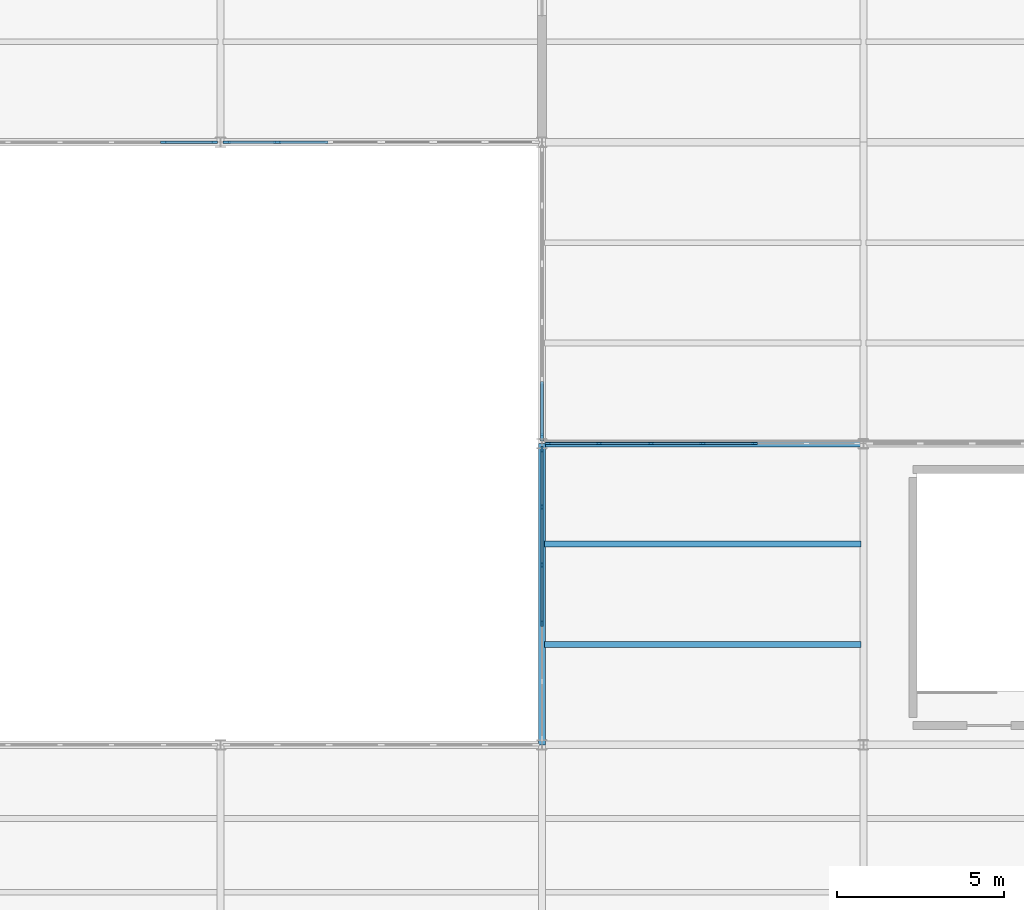
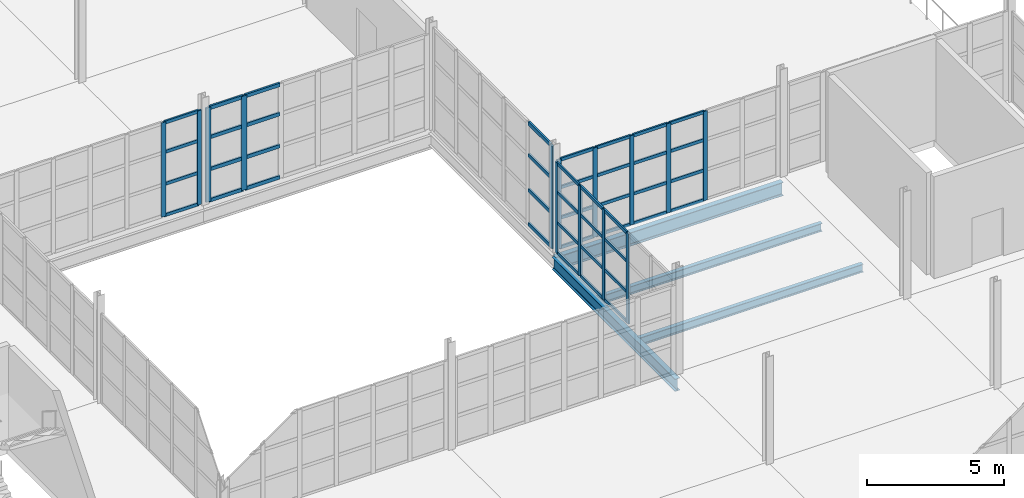
# One storey, part 63 of 120: 58 members, 4 beams, 5 elements without a shape of their own.
"""IFC4 building model written with IfcOpenShell, lengths in metres."""

from ifc_helpers import new_model, si_unit, direction, frame, origin, origin_2d, place, context, subcontext, project, spatial, rectangle, i_section, extrude, material, layer, layer_set, material_profile, profile_set, type_object, element, aggregate, save


model = new_model("IFC4")

# Units and contexts
model_context = context("Model", 3, precision=1e-05, world=origin(), true_north=direction((0.0, 1.0)))
body_context = subcontext(model_context, "Body", "Model", "MODEL_VIEW")
ifc_project = project(units=[si_unit("LENGTHUNIT", "METRE"), si_unit("AREAUNIT", "SQUARE_METRE"), si_unit("VOLUMEUNIT", "CUBIC_METRE"), si_unit("PLANEANGLEUNIT", "RADIAN"), si_unit("MASSUNIT", "GRAM", prefix="KILO")], contexts=[model_context])

# Site, building, storey
site_placement = place(None, origin())
site = spatial("IfcSite", under=ifc_project, at=site_placement, CompositionType="ELEMENT")
building_placement = place(site_placement, origin())
building = spatial("IfcBuilding", under=site, at=building_placement, Name="Zarnetskaya Central Station", CompositionType="ELEMENT")
storey_placement = place(building_placement, frame((0.0, 0.0, 5.39990234375)))
storey = spatial("IfcBuildingStorey", under=building, at=storey_placement, Name="L01", CompositionType="ELEMENT", Elevation=5.39990234375)

# Beams
ifc_material_1 = material(Name="Steel S355", Category="steel")
ifc_material_profile_1 = material_profile(ifc_material_1, i_section(OverallWidth=0.169921875, OverallDepth=0.360107421875, WebThickness=0.008056640625, FlangeThickness=0.0126953125, FilletRadius=0.01806640625, at=origin_2d()), Name="IPE 360")
ifc_profile_set_1 = profile_set([ifc_material_profile_1], Name="Steel S355")
beam_type_1 = type_object("IfcBeamType", Name="BM-SEC-360", PredefinedType="BEAM", material=ifc_profile_set_1)
for number, where, z_axis, x_axis, name in (
    (1, (153.679931640625, 16.199951171875, -0.4599609375), (1.0, 0.0, 0.0), (0.0, 1.0, 0.0), "Secondary floor beam SEC-L01-Z512-ST-34-1"),
    (2, (153.679931640625, 19.199951171875, -0.4599609375), (1.0, 0.0, 0.0), (0.0, 1.0, 0.0), "Secondary floor beam SEC-L01-Z512-ST-34-2"),
):
    element("IfcBeam", number, at=place(storey_placement, frame(where, z_axis=z_axis, x_axis=x_axis)), inside=storey, type_object=beam_type_1, Name=name, PredefinedType="BEAM", context=body_context, shape_type="SweptSolid", body=[
        extrude(i_section(OverallWidth=0.169921875, OverallDepth=0.360107421875, WebThickness=0.008056640625, FlangeThickness=0.0126953125, FilletRadius=0.01806640625, at=origin_2d()), origin(), (0.0, 0.0, 1.0), 9.440185546875),
    ])

# Curtain wall, members
ifc_material_2 = material(Name="Low-E insulated glass", Category="glass")
ifc_layer = layer(ifc_material_2, 0.159912109375, Name="Low-E insulated glass", Category="glass")
ifc_layer_set = layer_set([ifc_layer], Name="Low-E insulated glass")
curtain_wall_type = type_object("IfcCurtainWallType", Name="CW-SYS-06", PredefinedType="USERDEFINED", material=ifc_layer_set)
curtain_wall_1_placement = place(storey_placement, origin())
curtain_wall_1 = element("IfcCurtainWall", 3, at=curtain_wall_1_placement, inside=storey, type_object=curtain_wall_type, Name="Curtain wall CW-L01-117", ObjectType="CURTAIN WALL", PredefinedType="USERDEFINED")
ifc_material_3 = material(Name="Anodised aluminium", Category="aluminium")
ifc_material_profile_2 = material_profile(ifc_material_3, rectangle(XDim=0.070068359375, YDim=0.179931640625, at=origin_2d()), Name="ALU MULL 70x180")
ifc_profile_set_2 = profile_set([ifc_material_profile_2], Name="Anodised aluminium")
member_type_1 = type_object("IfcMemberType", Name="CW-MULL-180", PredefinedType="MULLION", material=ifc_profile_set_2)
member_1_placement = place(storey_placement, frame((153.784912109375, 22.199951171875, 0.0), z_axis=(0.0, 0.0, 1.0), x_axis=(0.0, 1.0, 0.0)))
member_1 = element("IfcMember", 4, at=member_1_placement, type_object=member_type_1, Name="CW-02 mullion 1", PredefinedType="MULLION", context=body_context, shape_type="SweptSolid", body=[
    extrude(rectangle(XDim=0.070068359375, YDim=0.179931640625, at=origin_2d()), origin(), (0.0, 0.0, 1.0), 3.97998046875),
])
member_2_placement = place(storey_placement, frame((155.300048828125, 22.199951171875, 0.0), z_axis=(0.0, 0.0, 1.0), x_axis=(0.0, 1.0, 0.0)))
member_2 = element("IfcMember", 5, at=member_2_placement, type_object=member_type_1, Name="CW-02 mullion 2", PredefinedType="MULLION", context=body_context, shape_type="SweptSolid", body=[
    extrude(rectangle(XDim=0.070068359375, YDim=0.179931640625, at=origin_2d()), origin(), (0.0, 0.0, 1.0), 3.97998046875),
])
member_3_placement = place(storey_placement, frame((156.85009765625, 22.199951171875, 0.0), z_axis=(0.0, 0.0, 1.0), x_axis=(0.0, 1.0, 0.0)))
member_3 = element("IfcMember", 6, at=member_3_placement, type_object=member_type_1, Name="CW-02 mullion 3", PredefinedType="MULLION", context=body_context, shape_type="SweptSolid", body=[
    extrude(rectangle(XDim=0.070068359375, YDim=0.179931640625, at=origin_2d()), origin(), (0.0, 0.0, 1.0), 3.97998046875),
])
member_4_placement = place(storey_placement, frame((158.39990234375, 22.199951171875, 0.0), z_axis=(0.0, 0.0, 1.0), x_axis=(0.0, 1.0, 0.0)))
member_4 = element("IfcMember", 7, at=member_4_placement, type_object=member_type_1, Name="CW-02 mullion 4", PredefinedType="MULLION", context=body_context, shape_type="SweptSolid", body=[
    extrude(rectangle(XDim=0.070068359375, YDim=0.179931640625, at=origin_2d()), origin(), (0.0, 0.0, 1.0), 3.97998046875),
])
member_5_placement = place(storey_placement, frame((159.949951171875, 22.199951171875, 0.0), z_axis=(0.0, 0.0, 1.0), x_axis=(0.0, 1.0, 0.0)))
member_5 = element("IfcMember", 8, at=member_5_placement, type_object=member_type_1, Name="CW-02 mullion 5", PredefinedType="MULLION", context=body_context, shape_type="SweptSolid", body=[
    extrude(rectangle(XDim=0.070068359375, YDim=0.179931640625, at=origin_2d()), origin(), (0.0, 0.0, 1.0), 3.97998046875),
])

curtain_wall_2_placement = place(storey_placement, origin())
curtain_wall_2 = element("IfcCurtainWall", 9, at=curtain_wall_2_placement, inside=storey, type_object=curtain_wall_type, Name="Curtain wall CW-L01-129", ObjectType="CURTAIN WALL", PredefinedType="USERDEFINED")
member_6_placement = place(storey_placement, frame((153.60009765625, 16.830078125, 0.0), z_axis=(0.0, 0.0, 1.0), x_axis=(-1.0, 0.0, 0.0)))
member_6 = element("IfcMember", 10, at=member_6_placement, type_object=member_type_1, Name="CW-02 mullion 3", PredefinedType="MULLION", context=body_context, shape_type="SweptSolid", body=[
    extrude(rectangle(XDim=0.070068359375, YDim=0.179931640625, at=origin_2d()), origin(), (0.0, 0.0, 1.0), 4.030029296875),
])
member_7_placement = place(storey_placement, frame((153.60009765625, 18.570068359375, 0.0), z_axis=(0.0, 0.0, 1.0), x_axis=(-1.0, 0.0, 0.0)))
member_7 = element("IfcMember", 11, at=member_7_placement, type_object=member_type_1, Name="CW-02 mullion 4", PredefinedType="MULLION", context=body_context, shape_type="SweptSolid", body=[
    extrude(rectangle(XDim=0.070068359375, YDim=0.179931640625, at=origin_2d()), origin(), (0.0, 0.0, 1.0), 4.030029296875),
])
member_8_placement = place(storey_placement, frame((153.60009765625, 20.31005859375, 0.0), z_axis=(0.0, 0.0, 1.0), x_axis=(-1.0, 0.0, 0.0)))
member_8 = element("IfcMember", 12, at=member_8_placement, type_object=member_type_1, Name="CW-02 mullion 5", PredefinedType="MULLION", context=body_context, shape_type="SweptSolid", body=[
    extrude(rectangle(XDim=0.070068359375, YDim=0.179931640625, at=origin_2d()), origin(), (0.0, 0.0, 1.0), 4.030029296875),
])
member_9_placement = place(storey_placement, frame((153.60009765625, 22.014892578125, 0.0), z_axis=(0.0, 0.0, 1.0), x_axis=(-1.0, 0.0, 0.0)))
member_9 = element("IfcMember", 13, at=member_9_placement, type_object=member_type_1, Name="CW-02 mullion 6", PredefinedType="MULLION", context=body_context, shape_type="SweptSolid", body=[
    extrude(rectangle(XDim=0.070068359375, YDim=0.179931640625, at=origin_2d()), origin(), (0.0, 0.0, 1.0), 4.030029296875),
])

curtain_wall_3_placement = place(storey_placement, origin())
curtain_wall_3 = element("IfcCurtainWall", 14, at=curtain_wall_3_placement, inside=storey, type_object=curtain_wall_type, Name="Curtain wall CW-L01-131", ObjectType="CURTAIN WALL", PredefinedType="USERDEFINED")
member_10_placement = place(storey_placement, frame((143.81494140625, 31.199951171875, 0.0), z_axis=(0.0, 0.0, 1.0), x_axis=(0.0, -1.0, 0.0)))
member_10 = element("IfcMember", 15, at=member_10_placement, type_object=member_type_1, Name="CW-02 mullion 1", PredefinedType="MULLION", context=body_context, shape_type="SweptSolid", body=[
    extrude(rectangle(XDim=0.070068359375, YDim=0.179931640625, at=origin_2d()), origin(), (0.0, 0.0, 1.0), 4.2001953125),
])
member_11_placement = place(storey_placement, frame((142.300048828125, 31.199951171875, 0.0), z_axis=(0.0, 0.0, 1.0), x_axis=(0.0, -1.0, 0.0)))
member_11 = element("IfcMember", 16, at=member_11_placement, type_object=member_type_1, Name="CW-02 mullion 2", PredefinedType="MULLION", context=body_context, shape_type="SweptSolid", body=[
    extrude(rectangle(XDim=0.070068359375, YDim=0.179931640625, at=origin_2d()), origin(), (0.0, 0.0, 1.0), 4.2001953125),
])

# Curtain wall, member
curtain_wall_4_placement = place(storey_placement, origin())
curtain_wall_4 = element("IfcCurtainWall", 17, at=curtain_wall_4_placement, inside=storey, type_object=curtain_wall_type, Name="Curtain wall CW-L01-116", ObjectType="CURTAIN WALL", PredefinedType="USERDEFINED")
ifc_material_profile_3 = material_profile(ifc_material_3, rectangle(XDim=0.080078125, YDim=0.219970703125, at=origin_2d()), Name="ALU MULL 80x220")
ifc_profile_set_3 = profile_set([ifc_material_profile_3], Name="Anodised aluminium")
member_type_2 = type_object("IfcMemberType", Name="CW-MULL-220", PredefinedType="MULLION", material=ifc_profile_set_3)
member_12_placement = place(storey_placement, frame((153.60009765625, 22.389892578125, 0.0), z_axis=(0.0, 0.0, 1.0), x_axis=(1.0, 0.0, 0.0)))
member_12 = element("IfcMember", 18, at=member_12_placement, type_object=member_type_2, Name="CW-02 mullion 6", PredefinedType="MULLION", context=body_context, shape_type="SweptSolid", body=[
    extrude(rectangle(XDim=0.080078125, YDim=0.219970703125, at=origin_2d()), origin(), (0.0, 0.0, 1.0), 4.570068359375),
])

# Curtain wall, members
curtain_wall_5_placement = place(storey_placement, origin())
curtain_wall_5 = element("IfcCurtainWall", 19, at=curtain_wall_5_placement, inside=storey, type_object=curtain_wall_type, Name="Curtain wall CW-L01-130", ObjectType="CURTAIN WALL", PredefinedType="USERDEFINED")
member_13_placement = place(storey_placement, frame((145.699951171875, 31.199951171875, 0.0), z_axis=(0.0, 0.0, 1.0), x_axis=(0.0, -1.0, 0.0)))
member_13 = element("IfcMember", 20, at=member_13_placement, type_object=member_type_2, Name="CW-02 mullion 6", PredefinedType="MULLION", context=body_context, shape_type="SweptSolid", body=[
    extrude(rectangle(XDim=0.080078125, YDim=0.219970703125, at=origin_2d()), origin(), (0.0, 0.0, 1.0), 4.2001953125),
])
member_14_placement = place(storey_placement, frame((144.18994140625, 31.199951171875, 0.0), z_axis=(0.0, 0.0, 1.0), x_axis=(0.0, -1.0, 0.0)))
member_14 = element("IfcMember", 21, at=member_14_placement, type_object=member_type_2, Name="CW-02 mullion 7", PredefinedType="MULLION", context=body_context, shape_type="SweptSolid", body=[
    extrude(rectangle(XDim=0.080078125, YDim=0.219970703125, at=origin_2d()), origin(), (0.0, 0.0, 1.0), 4.2001953125),
])

# Member
ifc_material_profile_4 = material_profile(ifc_material_3, rectangle(XDim=0.070068359375, YDim=0.139892578125, at=origin_2d()), Name="ALU TRAN 70x140")
ifc_profile_set_4 = profile_set([ifc_material_profile_4], Name="Anodised aluminium")
member_type_3 = type_object("IfcMemberType", Name="CW-TRAN-140", PredefinedType="USERDEFINED", material=ifc_profile_set_4)
member_15_placement = place(storey_placement, frame((153.820068359375, 22.199951171875, 0.03515625), z_axis=(1.0, 0.0, 0.0), x_axis=(0.0, 1.0, 0.0)))
member_15 = element("IfcMember", 22, at=member_15_placement, type_object=member_type_3, Name="CW-02 transom 1.1", ObjectType="TRANSOM", PredefinedType="USERDEFINED", context=body_context, shape_type="SweptSolid", body=[
    extrude(rectangle(XDim=0.070068359375, YDim=0.139892578125, at=origin_2d()), origin(), (0.0, 0.0, 1.0), 1.44482421875),
])

member_16_placement = place(storey_placement, frame((153.820068359375, 22.199951171875, 1.35302734375), z_axis=(1.0, 0.0, 0.0), x_axis=(0.0, 1.0, 0.0)))
member_16 = element("IfcMember", 23, at=member_16_placement, type_object=member_type_3, Name="CW-02 transom 1.2", ObjectType="TRANSOM", PredefinedType="USERDEFINED", context=body_context, shape_type="SweptSolid", body=[
    extrude(rectangle(XDim=0.070068359375, YDim=0.139892578125, at=origin_2d()), origin(), (0.0, 0.0, 1.0), 1.44482421875),
])

member_17_placement = place(storey_placement, frame((153.820068359375, 22.199951171875, 2.7060546875), z_axis=(1.0, 0.0, 0.0), x_axis=(0.0, 1.0, 0.0)))
member_17 = element("IfcMember", 24, at=member_17_placement, type_object=member_type_3, Name="CW-02 transom 1.3", ObjectType="TRANSOM", PredefinedType="USERDEFINED", context=body_context, shape_type="SweptSolid", body=[
    extrude(rectangle(XDim=0.070068359375, YDim=0.139892578125, at=origin_2d()), origin(), (0.0, 0.0, 1.0), 1.44482421875),
])

member_18_placement = place(storey_placement, frame((153.820068359375, 22.199951171875, 3.945068359375), z_axis=(1.0, 0.0, 0.0), x_axis=(0.0, 1.0, 0.0)))
member_18 = element("IfcMember", 25, at=member_18_placement, type_object=member_type_3, Name="CW-02 transom 1.4", ObjectType="TRANSOM", PredefinedType="USERDEFINED", context=body_context, shape_type="SweptSolid", body=[
    extrude(rectangle(XDim=0.070068359375, YDim=0.139892578125, at=origin_2d()), origin(), (0.0, 0.0, 1.0), 1.44482421875),
])

member_19_placement = place(storey_placement, frame((155.3349609375, 22.199951171875, 0.03515625), z_axis=(1.0, 0.0, 0.0), x_axis=(0.0, 1.0, 0.0)))
member_19 = element("IfcMember", 26, at=member_19_placement, type_object=member_type_3, Name="CW-02 transom 2.1", ObjectType="TRANSOM", PredefinedType="USERDEFINED", context=body_context, shape_type="SweptSolid", body=[
    extrude(rectangle(XDim=0.070068359375, YDim=0.139892578125, at=origin_2d()), origin(), (0.0, 0.0, 1.0), 1.47998046875),
])

member_20_placement = place(storey_placement, frame((155.3349609375, 22.199951171875, 1.35302734375), z_axis=(1.0, 0.0, 0.0), x_axis=(0.0, 1.0, 0.0)))
member_20 = element("IfcMember", 27, at=member_20_placement, type_object=member_type_3, Name="CW-02 transom 2.2", ObjectType="TRANSOM", PredefinedType="USERDEFINED", context=body_context, shape_type="SweptSolid", body=[
    extrude(rectangle(XDim=0.070068359375, YDim=0.139892578125, at=origin_2d()), origin(), (0.0, 0.0, 1.0), 1.47998046875),
])

member_21_placement = place(storey_placement, frame((155.3349609375, 22.199951171875, 2.7060546875), z_axis=(1.0, 0.0, 0.0), x_axis=(0.0, 1.0, 0.0)))
member_21 = element("IfcMember", 28, at=member_21_placement, type_object=member_type_3, Name="CW-02 transom 2.3", ObjectType="TRANSOM", PredefinedType="USERDEFINED", context=body_context, shape_type="SweptSolid", body=[
    extrude(rectangle(XDim=0.070068359375, YDim=0.139892578125, at=origin_2d()), origin(), (0.0, 0.0, 1.0), 1.47998046875),
])

member_22_placement = place(storey_placement, frame((155.3349609375, 22.199951171875, 3.945068359375), z_axis=(1.0, 0.0, 0.0), x_axis=(0.0, 1.0, 0.0)))
member_22 = element("IfcMember", 29, at=member_22_placement, type_object=member_type_3, Name="CW-02 transom 2.4", ObjectType="TRANSOM", PredefinedType="USERDEFINED", context=body_context, shape_type="SweptSolid", body=[
    extrude(rectangle(XDim=0.070068359375, YDim=0.139892578125, at=origin_2d()), origin(), (0.0, 0.0, 1.0), 1.47998046875),
])

member_23_placement = place(storey_placement, frame((156.885009765625, 22.199951171875, 0.03515625), z_axis=(1.0, 0.0, 0.0), x_axis=(0.0, 1.0, 0.0)))
member_23 = element("IfcMember", 30, at=member_23_placement, type_object=member_type_3, Name="CW-02 transom 3.1", ObjectType="TRANSOM", PredefinedType="USERDEFINED", context=body_context, shape_type="SweptSolid", body=[
    extrude(rectangle(XDim=0.070068359375, YDim=0.139892578125, at=origin_2d()), origin(), (0.0, 0.0, 1.0), 1.47998046875),
])

member_24_placement = place(storey_placement, frame((156.885009765625, 22.199951171875, 1.35302734375), z_axis=(1.0, 0.0, 0.0), x_axis=(0.0, 1.0, 0.0)))
member_24 = element("IfcMember", 31, at=member_24_placement, type_object=member_type_3, Name="CW-02 transom 3.2", ObjectType="TRANSOM", PredefinedType="USERDEFINED", context=body_context, shape_type="SweptSolid", body=[
    extrude(rectangle(XDim=0.070068359375, YDim=0.139892578125, at=origin_2d()), origin(), (0.0, 0.0, 1.0), 1.47998046875),
])

member_25_placement = place(storey_placement, frame((156.885009765625, 22.199951171875, 2.7060546875), z_axis=(1.0, 0.0, 0.0), x_axis=(0.0, 1.0, 0.0)))
member_25 = element("IfcMember", 32, at=member_25_placement, type_object=member_type_3, Name="CW-02 transom 3.3", ObjectType="TRANSOM", PredefinedType="USERDEFINED", context=body_context, shape_type="SweptSolid", body=[
    extrude(rectangle(XDim=0.070068359375, YDim=0.139892578125, at=origin_2d()), origin(), (0.0, 0.0, 1.0), 1.47998046875),
])

member_26_placement = place(storey_placement, frame((156.885009765625, 22.199951171875, 3.945068359375), z_axis=(1.0, 0.0, 0.0), x_axis=(0.0, 1.0, 0.0)))
member_26 = element("IfcMember", 33, at=member_26_placement, type_object=member_type_3, Name="CW-02 transom 3.4", ObjectType="TRANSOM", PredefinedType="USERDEFINED", context=body_context, shape_type="SweptSolid", body=[
    extrude(rectangle(XDim=0.070068359375, YDim=0.139892578125, at=origin_2d()), origin(), (0.0, 0.0, 1.0), 1.47998046875),
])

member_27_placement = place(storey_placement, frame((158.43505859375, 22.199951171875, 0.03515625), z_axis=(1.0, 0.0, 0.0), x_axis=(0.0, 1.0, 0.0)))
member_27 = element("IfcMember", 34, at=member_27_placement, type_object=member_type_3, Name="CW-02 transom 4.1", ObjectType="TRANSOM", PredefinedType="USERDEFINED", context=body_context, shape_type="SweptSolid", body=[
    extrude(rectangle(XDim=0.070068359375, YDim=0.139892578125, at=origin_2d()), origin(), (0.0, 0.0, 1.0), 1.47998046875),
])

member_28_placement = place(storey_placement, frame((158.43505859375, 22.199951171875, 1.35302734375), z_axis=(1.0, 0.0, 0.0), x_axis=(0.0, 1.0, 0.0)))
member_28 = element("IfcMember", 35, at=member_28_placement, type_object=member_type_3, Name="CW-02 transom 4.2", ObjectType="TRANSOM", PredefinedType="USERDEFINED", context=body_context, shape_type="SweptSolid", body=[
    extrude(rectangle(XDim=0.070068359375, YDim=0.139892578125, at=origin_2d()), origin(), (0.0, 0.0, 1.0), 1.47998046875),
])

member_29_placement = place(storey_placement, frame((158.43505859375, 22.199951171875, 2.7060546875), z_axis=(1.0, 0.0, 0.0), x_axis=(0.0, 1.0, 0.0)))
member_29 = element("IfcMember", 36, at=member_29_placement, type_object=member_type_3, Name="CW-02 transom 4.3", ObjectType="TRANSOM", PredefinedType="USERDEFINED", context=body_context, shape_type="SweptSolid", body=[
    extrude(rectangle(XDim=0.070068359375, YDim=0.139892578125, at=origin_2d()), origin(), (0.0, 0.0, 1.0), 1.47998046875),
])

member_30_placement = place(storey_placement, frame((158.43505859375, 22.199951171875, 3.945068359375), z_axis=(1.0, 0.0, 0.0), x_axis=(0.0, 1.0, 0.0)))
member_30 = element("IfcMember", 37, at=member_30_placement, type_object=member_type_3, Name="CW-02 transom 4.4", ObjectType="TRANSOM", PredefinedType="USERDEFINED", context=body_context, shape_type="SweptSolid", body=[
    extrude(rectangle(XDim=0.070068359375, YDim=0.139892578125, at=origin_2d()), origin(), (0.0, 0.0, 1.0), 1.47998046875),
])

aggregate(curtain_wall_1, [member_1, member_2, member_3, member_4, member_5, member_15, member_16, member_17, member_18, member_19, member_20, member_21, member_22, member_23, member_24, member_25, member_26, member_27, member_28, member_29, member_30])

member_31_placement = place(storey_placement, frame((153.60009765625, 16.864990234375, 0.03515625), z_axis=(0.0, 1.0, 0.0), x_axis=(-1.0, 0.0, 0.0)))
member_31 = element("IfcMember", 38, at=member_31_placement, type_object=member_type_3, Name="CW-02 transom 3.1", ObjectType="TRANSOM", PredefinedType="USERDEFINED", context=body_context, shape_type="SweptSolid", body=[
    extrude(rectangle(XDim=0.070068359375, YDim=0.139892578125, at=origin_2d()), origin(), (0.0, 0.0, 1.0), 1.669921875),
])

member_32_placement = place(storey_placement, frame((153.60009765625, 16.864990234375, 1.3701171875), z_axis=(0.0, 1.0, 0.0), x_axis=(-1.0, 0.0, 0.0)))
member_32 = element("IfcMember", 39, at=member_32_placement, type_object=member_type_3, Name="CW-02 transom 3.2", ObjectType="TRANSOM", PredefinedType="USERDEFINED", context=body_context, shape_type="SweptSolid", body=[
    extrude(rectangle(XDim=0.070068359375, YDim=0.139892578125, at=origin_2d()), origin(), (0.0, 0.0, 1.0), 1.669921875),
])

member_33_placement = place(storey_placement, frame((153.60009765625, 16.864990234375, 2.739990234375), z_axis=(0.0, 1.0, 0.0), x_axis=(-1.0, 0.0, 0.0)))
member_33 = element("IfcMember", 40, at=member_33_placement, type_object=member_type_3, Name="CW-02 transom 3.3", ObjectType="TRANSOM", PredefinedType="USERDEFINED", context=body_context, shape_type="SweptSolid", body=[
    extrude(rectangle(XDim=0.070068359375, YDim=0.139892578125, at=origin_2d()), origin(), (0.0, 0.0, 1.0), 1.669921875),
])

member_34_placement = place(storey_placement, frame((153.60009765625, 16.864990234375, 3.9951171875), z_axis=(0.0, 1.0, 0.0), x_axis=(-1.0, 0.0, 0.0)))
member_34 = element("IfcMember", 41, at=member_34_placement, type_object=member_type_3, Name="CW-02 transom 3.4", ObjectType="TRANSOM", PredefinedType="USERDEFINED", context=body_context, shape_type="SweptSolid", body=[
    extrude(rectangle(XDim=0.070068359375, YDim=0.139892578125, at=origin_2d()), origin(), (0.0, 0.0, 1.0), 1.669921875),
])

member_35_placement = place(storey_placement, frame((153.60009765625, 18.60498046875, 0.03515625), z_axis=(0.0, 1.0, 0.0), x_axis=(-1.0, 0.0, 0.0)))
member_35 = element("IfcMember", 42, at=member_35_placement, type_object=member_type_3, Name="CW-02 transom 4.1", ObjectType="TRANSOM", PredefinedType="USERDEFINED", context=body_context, shape_type="SweptSolid", body=[
    extrude(rectangle(XDim=0.070068359375, YDim=0.139892578125, at=origin_2d()), origin(), (0.0, 0.0, 1.0), 1.669921875),
])

member_36_placement = place(storey_placement, frame((153.60009765625, 18.60498046875, 1.3701171875), z_axis=(0.0, 1.0, 0.0), x_axis=(-1.0, 0.0, 0.0)))
member_36 = element("IfcMember", 43, at=member_36_placement, type_object=member_type_3, Name="CW-02 transom 4.2", ObjectType="TRANSOM", PredefinedType="USERDEFINED", context=body_context, shape_type="SweptSolid", body=[
    extrude(rectangle(XDim=0.070068359375, YDim=0.139892578125, at=origin_2d()), origin(), (0.0, 0.0, 1.0), 1.669921875),
])

member_37_placement = place(storey_placement, frame((153.60009765625, 18.60498046875, 2.739990234375), z_axis=(0.0, 1.0, 0.0), x_axis=(-1.0, 0.0, 0.0)))
member_37 = element("IfcMember", 44, at=member_37_placement, type_object=member_type_3, Name="CW-02 transom 4.3", ObjectType="TRANSOM", PredefinedType="USERDEFINED", context=body_context, shape_type="SweptSolid", body=[
    extrude(rectangle(XDim=0.070068359375, YDim=0.139892578125, at=origin_2d()), origin(), (0.0, 0.0, 1.0), 1.669921875),
])

member_38_placement = place(storey_placement, frame((153.60009765625, 18.60498046875, 3.9951171875), z_axis=(0.0, 1.0, 0.0), x_axis=(-1.0, 0.0, 0.0)))
member_38 = element("IfcMember", 45, at=member_38_placement, type_object=member_type_3, Name="CW-02 transom 4.4", ObjectType="TRANSOM", PredefinedType="USERDEFINED", context=body_context, shape_type="SweptSolid", body=[
    extrude(rectangle(XDim=0.070068359375, YDim=0.139892578125, at=origin_2d()), origin(), (0.0, 0.0, 1.0), 1.669921875),
])

member_39_placement = place(storey_placement, frame((153.60009765625, 20.344970703125, 0.03515625), z_axis=(0.0, 1.0, 0.0), x_axis=(-1.0, 0.0, 0.0)))
member_39 = element("IfcMember", 46, at=member_39_placement, type_object=member_type_3, Name="CW-02 transom 5.1", ObjectType="TRANSOM", PredefinedType="USERDEFINED", context=body_context, shape_type="SweptSolid", body=[
    extrude(rectangle(XDim=0.070068359375, YDim=0.139892578125, at=origin_2d()), origin(), (0.0, 0.0, 1.0), 1.635009765625),
])

member_40_placement = place(storey_placement, frame((153.60009765625, 20.344970703125, 1.3701171875), z_axis=(0.0, 1.0, 0.0), x_axis=(-1.0, 0.0, 0.0)))
member_40 = element("IfcMember", 47, at=member_40_placement, type_object=member_type_3, Name="CW-02 transom 5.2", ObjectType="TRANSOM", PredefinedType="USERDEFINED", context=body_context, shape_type="SweptSolid", body=[
    extrude(rectangle(XDim=0.070068359375, YDim=0.139892578125, at=origin_2d()), origin(), (0.0, 0.0, 1.0), 1.635009765625),
])

member_41_placement = place(storey_placement, frame((153.60009765625, 20.344970703125, 2.739990234375), z_axis=(0.0, 1.0, 0.0), x_axis=(-1.0, 0.0, 0.0)))
member_41 = element("IfcMember", 48, at=member_41_placement, type_object=member_type_3, Name="CW-02 transom 5.3", ObjectType="TRANSOM", PredefinedType="USERDEFINED", context=body_context, shape_type="SweptSolid", body=[
    extrude(rectangle(XDim=0.070068359375, YDim=0.139892578125, at=origin_2d()), origin(), (0.0, 0.0, 1.0), 1.635009765625),
])

member_42_placement = place(storey_placement, frame((153.60009765625, 20.344970703125, 3.9951171875), z_axis=(0.0, 1.0, 0.0), x_axis=(-1.0, 0.0, 0.0)))
member_42 = element("IfcMember", 49, at=member_42_placement, type_object=member_type_3, Name="CW-02 transom 5.4", ObjectType="TRANSOM", PredefinedType="USERDEFINED", context=body_context, shape_type="SweptSolid", body=[
    extrude(rectangle(XDim=0.070068359375, YDim=0.139892578125, at=origin_2d()), origin(), (0.0, 0.0, 1.0), 1.635009765625),
])

aggregate(curtain_wall_2, [member_6, member_7, member_8, member_9, member_31, member_32, member_33, member_34, member_35, member_36, member_37, member_38, member_39, member_40, member_41, member_42])

member_43_placement = place(storey_placement, frame((143.780029296875, 31.199951171875, 0.03515625), z_axis=(-1.0, 0.0, 0.0), x_axis=(0.0, -1.0, 0.0)))
member_43 = element("IfcMember", 50, at=member_43_placement, type_object=member_type_3, Name="CW-02 transom 1.1", ObjectType="TRANSOM", PredefinedType="USERDEFINED", context=body_context, shape_type="SweptSolid", body=[
    extrude(rectangle(XDim=0.070068359375, YDim=0.139892578125, at=origin_2d()), origin(), (0.0, 0.0, 1.0), 1.445068359375),
])

member_44_placement = place(storey_placement, frame((143.780029296875, 31.199951171875, 1.427978515625), z_axis=(-1.0, 0.0, 0.0), x_axis=(0.0, -1.0, 0.0)))
member_44 = element("IfcMember", 51, at=member_44_placement, type_object=member_type_3, Name="CW-02 transom 1.2", ObjectType="TRANSOM", PredefinedType="USERDEFINED", context=body_context, shape_type="SweptSolid", body=[
    extrude(rectangle(XDim=0.070068359375, YDim=0.139892578125, at=origin_2d()), origin(), (0.0, 0.0, 1.0), 1.445068359375),
])

member_45_placement = place(storey_placement, frame((143.780029296875, 31.199951171875, 2.856201171875), z_axis=(-1.0, 0.0, 0.0), x_axis=(0.0, -1.0, 0.0)))
member_45 = element("IfcMember", 52, at=member_45_placement, type_object=member_type_3, Name="CW-02 transom 1.3", ObjectType="TRANSOM", PredefinedType="USERDEFINED", context=body_context, shape_type="SweptSolid", body=[
    extrude(rectangle(XDim=0.070068359375, YDim=0.139892578125, at=origin_2d()), origin(), (0.0, 0.0, 1.0), 1.445068359375),
])

member_46_placement = place(storey_placement, frame((143.780029296875, 31.199951171875, 4.1650390625), z_axis=(-1.0, 0.0, 0.0), x_axis=(0.0, -1.0, 0.0)))
member_46 = element("IfcMember", 53, at=member_46_placement, type_object=member_type_3, Name="CW-02 transom 1.4", ObjectType="TRANSOM", PredefinedType="USERDEFINED", context=body_context, shape_type="SweptSolid", body=[
    extrude(rectangle(XDim=0.070068359375, YDim=0.139892578125, at=origin_2d()), origin(), (0.0, 0.0, 1.0), 1.445068359375),
])

aggregate(curtain_wall_3, [member_10, member_11, member_43, member_44, member_45, member_46])

ifc_material_profile_5 = material_profile(ifc_material_3, rectangle(XDim=0.080078125, YDim=0.159912109375, at=origin_2d()), Name="ALU TRAN 80x160")
ifc_profile_set_5 = profile_set([ifc_material_profile_5], Name="Anodised aluminium")
member_type_4 = type_object("IfcMemberType", Name="CW-TRAN-160", PredefinedType="USERDEFINED", material=ifc_profile_set_5)
member_47_placement = place(storey_placement, frame((153.60009765625, 24.050048828125, 0.0400390625), z_axis=(0.0, -1.0, 0.0), x_axis=(1.0, 0.0, 0.0)))
member_47 = element("IfcMember", 54, at=member_47_placement, type_object=member_type_4, Name="CW-02 transom 5.1", ObjectType="TRANSOM", PredefinedType="USERDEFINED", context=body_context, shape_type="SweptSolid", body=[
    extrude(rectangle(XDim=0.080078125, YDim=0.159912109375, at=origin_2d()), origin(), (0.0, 0.0, 1.0), 1.6201171875),
])

member_48_placement = place(storey_placement, frame((153.60009765625, 24.050048828125, 1.55419921875), z_axis=(0.0, -1.0, 0.0), x_axis=(1.0, 0.0, 0.0)))
member_48 = element("IfcMember", 55, at=member_48_placement, type_object=member_type_4, Name="CW-02 transom 5.2", ObjectType="TRANSOM", PredefinedType="USERDEFINED", context=body_context, shape_type="SweptSolid", body=[
    extrude(rectangle(XDim=0.080078125, YDim=0.159912109375, at=origin_2d()), origin(), (0.0, 0.0, 1.0), 1.6201171875),
])

member_49_placement = place(storey_placement, frame((153.60009765625, 24.050048828125, 3.108154296875), z_axis=(0.0, -1.0, 0.0), x_axis=(1.0, 0.0, 0.0)))
member_49 = element("IfcMember", 56, at=member_49_placement, type_object=member_type_4, Name="CW-02 transom 5.3", ObjectType="TRANSOM", PredefinedType="USERDEFINED", context=body_context, shape_type="SweptSolid", body=[
    extrude(rectangle(XDim=0.080078125, YDim=0.159912109375, at=origin_2d()), origin(), (0.0, 0.0, 1.0), 1.6201171875),
])

member_50_placement = place(storey_placement, frame((153.60009765625, 24.050048828125, 4.530029296875), z_axis=(0.0, -1.0, 0.0), x_axis=(1.0, 0.0, 0.0)))
member_50 = element("IfcMember", 57, at=member_50_placement, type_object=member_type_4, Name="CW-02 transom 5.4", ObjectType="TRANSOM", PredefinedType="USERDEFINED", context=body_context, shape_type="SweptSolid", body=[
    extrude(rectangle(XDim=0.080078125, YDim=0.159912109375, at=origin_2d()), origin(), (0.0, 0.0, 1.0), 1.6201171875),
])

aggregate(curtain_wall_4, [member_12, member_47, member_48, member_49, member_50])

member_51_placement = place(storey_placement, frame((147.2099609375, 31.199951171875, 0.0400390625), z_axis=(-1.0, 0.0, 0.0), x_axis=(0.0, -1.0, 0.0)))
member_51 = element("IfcMember", 58, at=member_51_placement, type_object=member_type_4, Name="CW-02 transom 5.1", ObjectType="TRANSOM", PredefinedType="USERDEFINED", context=body_context, shape_type="SweptSolid", body=[
    extrude(rectangle(XDim=0.080078125, YDim=0.159912109375, at=origin_2d()), origin(), (0.0, 0.0, 1.0), 1.469970703125),
])

member_52_placement = place(storey_placement, frame((147.2099609375, 31.199951171875, 1.427978515625), z_axis=(-1.0, 0.0, 0.0), x_axis=(0.0, -1.0, 0.0)))
member_52 = element("IfcMember", 59, at=member_52_placement, type_object=member_type_4, Name="CW-02 transom 5.2", ObjectType="TRANSOM", PredefinedType="USERDEFINED", context=body_context, shape_type="SweptSolid", body=[
    extrude(rectangle(XDim=0.080078125, YDim=0.159912109375, at=origin_2d()), origin(), (0.0, 0.0, 1.0), 1.469970703125),
])

member_53_placement = place(storey_placement, frame((147.2099609375, 31.199951171875, 2.856201171875), z_axis=(-1.0, 0.0, 0.0), x_axis=(0.0, -1.0, 0.0)))
member_53 = element("IfcMember", 60, at=member_53_placement, type_object=member_type_4, Name="CW-02 transom 5.3", ObjectType="TRANSOM", PredefinedType="USERDEFINED", context=body_context, shape_type="SweptSolid", body=[
    extrude(rectangle(XDim=0.080078125, YDim=0.159912109375, at=origin_2d()), origin(), (0.0, 0.0, 1.0), 1.469970703125),
])

member_54_placement = place(storey_placement, frame((147.2099609375, 31.199951171875, 4.16015625), z_axis=(-1.0, 0.0, 0.0), x_axis=(0.0, -1.0, 0.0)))
member_54 = element("IfcMember", 61, at=member_54_placement, type_object=member_type_4, Name="CW-02 transom 5.4", ObjectType="TRANSOM", PredefinedType="USERDEFINED", context=body_context, shape_type="SweptSolid", body=[
    extrude(rectangle(XDim=0.080078125, YDim=0.159912109375, at=origin_2d()), origin(), (0.0, 0.0, 1.0), 1.469970703125),
])

member_55_placement = place(storey_placement, frame((145.659912109375, 31.199951171875, 0.0400390625), z_axis=(-1.0, 0.0, 0.0), x_axis=(0.0, -1.0, 0.0)))
member_55 = element("IfcMember", 62, at=member_55_placement, type_object=member_type_4, Name="CW-02 transom 6.1", ObjectType="TRANSOM", PredefinedType="USERDEFINED", context=body_context, shape_type="SweptSolid", body=[
    extrude(rectangle(XDim=0.080078125, YDim=0.159912109375, at=origin_2d()), origin(), (0.0, 0.0, 1.0), 1.429931640625),
])

member_56_placement = place(storey_placement, frame((145.659912109375, 31.199951171875, 1.427978515625), z_axis=(-1.0, 0.0, 0.0), x_axis=(0.0, -1.0, 0.0)))
member_56 = element("IfcMember", 63, at=member_56_placement, type_object=member_type_4, Name="CW-02 transom 6.2", ObjectType="TRANSOM", PredefinedType="USERDEFINED", context=body_context, shape_type="SweptSolid", body=[
    extrude(rectangle(XDim=0.080078125, YDim=0.159912109375, at=origin_2d()), origin(), (0.0, 0.0, 1.0), 1.429931640625),
])

member_57_placement = place(storey_placement, frame((145.659912109375, 31.199951171875, 2.856201171875), z_axis=(-1.0, 0.0, 0.0), x_axis=(0.0, -1.0, 0.0)))
member_57 = element("IfcMember", 64, at=member_57_placement, type_object=member_type_4, Name="CW-02 transom 6.3", ObjectType="TRANSOM", PredefinedType="USERDEFINED", context=body_context, shape_type="SweptSolid", body=[
    extrude(rectangle(XDim=0.080078125, YDim=0.159912109375, at=origin_2d()), origin(), (0.0, 0.0, 1.0), 1.429931640625),
])

member_58_placement = place(storey_placement, frame((145.659912109375, 31.199951171875, 4.16015625), z_axis=(-1.0, 0.0, 0.0), x_axis=(0.0, -1.0, 0.0)))
member_58 = element("IfcMember", 65, at=member_58_placement, type_object=member_type_4, Name="CW-02 transom 6.4", ObjectType="TRANSOM", PredefinedType="USERDEFINED", context=body_context, shape_type="SweptSolid", body=[
    extrude(rectangle(XDim=0.080078125, YDim=0.159912109375, at=origin_2d()), origin(), (0.0, 0.0, 1.0), 1.429931640625),
])

aggregate(curtain_wall_5, [member_13, member_14, member_51, member_52, member_53, member_54, member_55, member_56, member_57, member_58])

# Beams
ifc_material_profile_6 = material_profile(ifc_material_1, i_section(OverallWidth=0.2099609375, OverallDepth=0.550048828125, WebThickness=0.010986328125, FlangeThickness=0.01708984375, FilletRadius=0.02392578125, at=origin_2d()), Name="IPE 550")
ifc_profile_set_6 = profile_set([ifc_material_profile_6], Name="Steel S355")
beam_type_2 = type_object("IfcBeamType", Name="GD-FLR-550", PredefinedType="USERDEFINED", material=ifc_profile_set_6)
beam_1_placement = place(storey_placement, frame((153.60009765625, 13.199951171875, -0.554931640625), z_axis=(0.0, 1.0, 0.0), x_axis=(-1.0, 0.0, 0.0)))
element("IfcBeam", 66, at=beam_1_placement, inside=storey, type_object=beam_type_2, Name="Grid girder GY-L01-S-34", ObjectType="GIRDER", PredefinedType="USERDEFINED", context=body_context, shape_type="SweptSolid", body=[
    extrude(i_section(OverallWidth=0.2099609375, OverallDepth=0.550048828125, WebThickness=0.010986328125, FlangeThickness=0.01708984375, FilletRadius=0.02392578125, at=origin_2d()), origin(), (0.0, 0.0, 1.0), 9.0),
])
ifc_material_profile_7 = material_profile(ifc_material_1, i_section(OverallWidth=0.219970703125, OverallDepth=0.60009765625, WebThickness=0.011962890625, FlangeThickness=0.01904296875, FilletRadius=0.02392578125, at=origin_2d()), Name="IPE 600")
ifc_profile_set_7 = profile_set([ifc_material_profile_7], Name="Steel S355")
beam_type_3 = type_object("IfcBeamType", Name="GD-FLR-600", PredefinedType="USERDEFINED", material=ifc_profile_set_7)
beam_2_placement = place(storey_placement, frame((153.60009765625, 22.199951171875, -0.579833984375), z_axis=(1.0, 0.0, 0.0), x_axis=(0.0, 1.0, 0.0)))
element("IfcBeam", 67, at=beam_2_placement, inside=storey, type_object=beam_type_3, Name="Grid girder GX-L01-4-ST", ObjectType="GIRDER", PredefinedType="USERDEFINED", context=body_context, shape_type="SweptSolid", body=[
    extrude(i_section(OverallWidth=0.219970703125, OverallDepth=0.60009765625, WebThickness=0.011962890625, FlangeThickness=0.01904296875, FilletRadius=0.02392578125, at=origin_2d()), origin(), (0.0, 0.0, 1.0), 9.599853515625),
])

save(model, "model.ifc")
